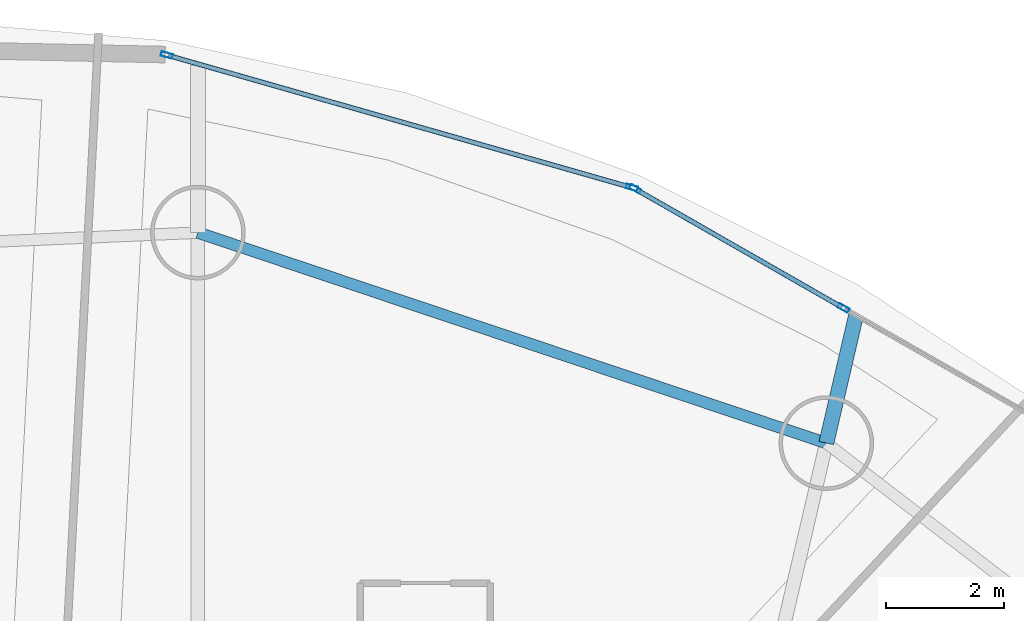
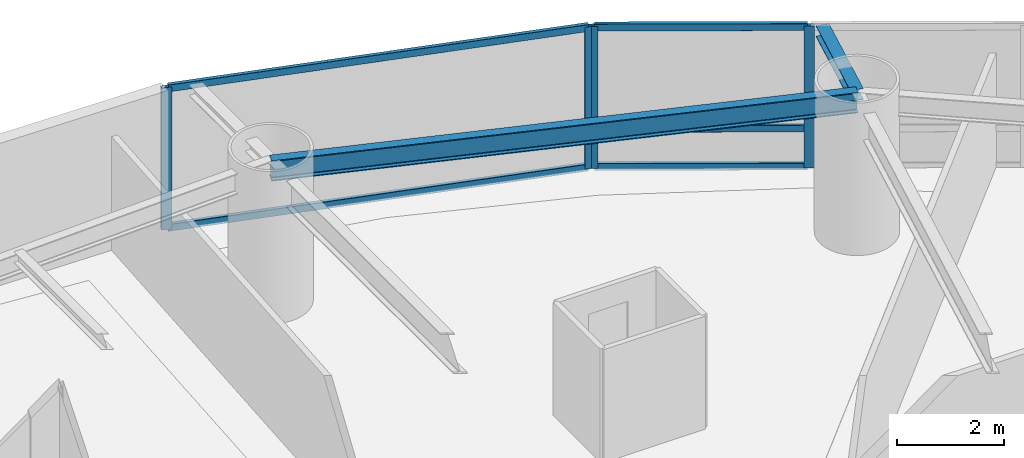
# One storey, part 13 of 23: 9 members, 2 beams, 2 elements without a shape of their own.
"""IFC4 building model written with IfcOpenShell, lengths in metres."""

from ifc_helpers import new_model, si_unit, direction, frame, origin, origin_2d, place, context, subcontext, project, spatial, hollow_rectangle, i_section, extrude, material, layer, layer_set, material_profile, profile_set, type_object, element, aggregate, save


model = new_model("IFC4")

# Units and contexts
model_context = context("Model", 3, precision=1e-05, world=origin(), true_north=direction((0.0, 1.0)))
body_context = subcontext(model_context, "Body", "Model", "MODEL_VIEW")
ifc_project = project(units=[si_unit("LENGTHUNIT", "METRE"), si_unit("AREAUNIT", "SQUARE_METRE"), si_unit("VOLUMEUNIT", "CUBIC_METRE"), si_unit("PLANEANGLEUNIT", "RADIAN"), si_unit("MASSUNIT", "GRAM", prefix="KILO")], contexts=[model_context])

# Site, building, storey
site_placement = place(None, origin())
site = spatial("IfcSite", under=ifc_project, at=site_placement, CompositionType="ELEMENT")
building_placement = place(site_placement, origin())
building = spatial("IfcBuilding", under=site, at=building_placement, Name="Bramvorn Convention Spire", CompositionType="ELEMENT")
storey_placement = place(building_placement, frame((0.0, 0.0, 69.39990234375)))
storey = spatial("IfcBuildingStorey", under=building, at=storey_placement, Name="L15", CompositionType="ELEMENT", Elevation=69.39990234375)

# Beams
ifc_material_1 = material(Name="Steel CSA G40.21 Grade 350 (350W)", Category="steel")
ifc_material_profile_1 = material_profile(ifc_material_1, i_section(OverallWidth=0.25390625, OverallDepth=0.2529296875, WebThickness=0.008544921875, FlangeThickness=0.01416015625, FilletRadius=0.011962890625, at=origin_2d()))
ifc_profile_set_1 = profile_set([ifc_material_profile_1], Name="Steel CSA G40.21 Grade 350 (350W) - W250X73")
beam_type_1 = type_object("IfcBeamType", Name="BM-W250X73", PredefinedType="BEAM", material=ifc_profile_set_1)
beam_1_placement = place(storey_placement, frame((51.59033203125, 43.509033203125, 3.12353515625), z_axis=(0.226559529956, 0.97399732001, 0.0), x_axis=(-0.97399732001, 0.226559529956, 0.0)))
element("IfcBeam", 1, at=beam_1_placement, inside=storey, type_object=beam_type_1, Name="L15 slab-edge cantilever tip beam MC04", PredefinedType="BEAM", context=body_context, shape_type="SweptSolid", body=[
    extrude(i_section(OverallWidth=0.25390625, OverallDepth=0.2529296875, WebThickness=0.008544921875, FlangeThickness=0.01416015625, FilletRadius=0.011962890625, at=origin_2d()), origin(), (0.0, 0.0, 1.0), 2.22314453125),
])
ifc_material_profile_2 = material_profile(ifc_material_1, i_section(OverallWidth=0.194091796875, OverallDepth=0.468994140625, WebThickness=0.0126953125, FlangeThickness=0.0205078125, FilletRadius=0.01806640625, at=origin_2d()))
ifc_profile_set_2 = profile_set([ifc_material_profile_2], Name="Steel CSA G40.21 Grade 350 (350W) - W460X106")
beam_type_2 = type_object("IfcBeamType", Name="BM-W460X106", PredefinedType="SPANDREL", material=ifc_profile_set_2)
beam_2_placement = place(storey_placement, frame((51.59033203125, 43.509033203125, 3.015625), z_axis=(-0.948235872727, 0.317566890078, 0.0), x_axis=(-0.317566890078, -0.948235872727, 0.0)))
element("IfcBeam", 2, at=beam_2_placement, inside=storey, type_object=beam_type_2, Name="L15 mega-column ring beam 04", PredefinedType="SPANDREL", context=body_context, shape_type="SweptSolid", body=[
    extrude(i_section(OverallWidth=0.194091796875, OverallDepth=0.468994140625, WebThickness=0.0126953125, FlangeThickness=0.0205078125, FilletRadius=0.01806640625, at=origin_2d()), origin(), (0.0, 0.0, 1.0), 11.209716796875),
])

# Curtain wall, members
ifc_material_2 = material(Name="Anodised Bronze Unitised Curtain Wall", Category="aluminium")
ifc_layer = layer(ifc_material_2, 0.179931640625)
ifc_layer_set = layer_set([ifc_layer], Name="Anodised Bronze Unitised Curtain Wall - CW-HTL-FRIT")
curtain_wall_type = type_object("IfcCurtainWallType", Name="CW-HTL-FRIT", PredefinedType="USERDEFINED", material=ifc_layer_set)
curtain_wall_1_placement = place(storey_placement, origin())
curtain_wall_1 = element("IfcCurtainWall", 3, at=curtain_wall_1_placement, inside=storey, type_object=curtain_wall_type, Name="L15 fritted glass curtain wall 05", ObjectType="UNITISED CURTAIN WALL", PredefinedType="USERDEFINED")
ifc_material_3 = material(Name="Anodised Bronze Aluminium 6063-T6", Category="aluminium")
ifc_material_profile_3 = material_profile(ifc_material_3, hollow_rectangle(XDim=0.080078125, YDim=0.199951171875, WallThickness=0.00390625, InnerFilletRadius=0.0009765625, OuterFilletRadius=0.00390625, at=origin_2d()))
ifc_profile_set_3 = profile_set([ifc_material_profile_3], Name="Anodised Bronze Aluminium 6063-T6 - CWM80X200")
member_type_1 = type_object("IfcMemberType", Name="CW-MUL-180", PredefinedType="MULLION", material=ifc_profile_set_3)
member_1_placement = place(storey_placement, frame((48.358642578125, 47.806640625, 0.0), z_axis=(0.0, 0.0, 1.0), x_axis=(0.496612033852, 0.867972630809, 0.0)))
member_1 = element("IfcMember", 4, at=member_1_placement, type_object=member_type_1, Name="CW2 mullion 1", PredefinedType="MULLION", context=body_context, shape_type="SweptSolid", body=[
    extrude(hollow_rectangle(XDim=0.080078125, YDim=0.199951171875, WallThickness=0.00390625, InnerFilletRadius=0.0009765625, OuterFilletRadius=0.00390625, at=origin_2d()), origin(), (0.0, 0.0, 1.0), 3.25),
])
member_2_placement = place(storey_placement, frame((51.878662109375, 45.792724609375, 0.0), z_axis=(0.0, 0.0, 1.0), x_axis=(0.496612033852, 0.867972630809, 0.0)))
member_2 = element("IfcMember", 5, at=member_2_placement, type_object=member_type_1, Name="CW2 mullion 2", PredefinedType="MULLION", context=body_context, shape_type="SweptSolid", body=[
    extrude(hollow_rectangle(XDim=0.080078125, YDim=0.199951171875, WallThickness=0.00390625, InnerFilletRadius=0.0009765625, OuterFilletRadius=0.00390625, at=origin_2d()), origin(), (0.0, 0.0, 1.0), 3.25),
])

curtain_wall_2_placement = place(storey_placement, origin())
curtain_wall_2 = element("IfcCurtainWall", 6, at=curtain_wall_2_placement, inside=storey, type_object=curtain_wall_type, Name="L15 fritted glass curtain wall 06", ObjectType="UNITISED CURTAIN WALL", PredefinedType="USERDEFINED")
member_3_placement = place(storey_placement, frame((40.435546875, 50.072021484375, 0.0), z_axis=(0.0, 0.0, 1.0), x_axis=(0.274068809349, 0.961710085079, 0.0)))
member_3 = element("IfcMember", 7, at=member_3_placement, type_object=member_type_1, Name="CW2 mullion 1", PredefinedType="MULLION", context=body_context, shape_type="SweptSolid", body=[
    extrude(hollow_rectangle(XDim=0.080078125, YDim=0.199951171875, WallThickness=0.00390625, InnerFilletRadius=0.0009765625, OuterFilletRadius=0.00390625, at=origin_2d()), origin(), (0.0, 0.0, 1.0), 3.25),
])
member_4_placement = place(storey_placement, frame((48.3037109375, 47.829833984375, 0.0), z_axis=(0.0, 0.0, 1.0), x_axis=(0.274068809349, 0.961710085079, 0.0)))
member_4 = element("IfcMember", 8, at=member_4_placement, type_object=member_type_1, Name="CW2 mullion 2", PredefinedType="MULLION", context=body_context, shape_type="SweptSolid", body=[
    extrude(hollow_rectangle(XDim=0.080078125, YDim=0.199951171875, WallThickness=0.00390625, InnerFilletRadius=0.0009765625, OuterFilletRadius=0.00390625, at=origin_2d()), origin(), (0.0, 0.0, 1.0), 3.25),
])

# Member
ifc_material_profile_4 = material_profile(ifc_material_3, hollow_rectangle(XDim=0.080078125, YDim=0.159912109375, WallThickness=0.00390625, InnerFilletRadius=0.0009765625, OuterFilletRadius=0.00390625, at=origin_2d()))
ifc_profile_set_4 = profile_set([ifc_material_profile_4], Name="Anodised Bronze Aluminium 6063-T6 - CWT80X160")
member_type_2 = type_object("IfcMemberType", Name="CW-TRN-150", PredefinedType="USERDEFINED", material=ifc_profile_set_4)
member_5_placement = place(storey_placement, frame((48.384765625, 47.791748046875, 0.030029296875), z_axis=(0.8679684963, -0.496619260028, 0.0), x_axis=(0.496619260028, 0.8679684963, 0.0)))
member_5 = element("IfcMember", 9, at=member_5_placement, type_object=member_type_2, Name="CW2 transom 1.1", ObjectType="TRANSOM", PredefinedType="USERDEFINED", context=body_context, shape_type="SweptSolid", body=[
    extrude(hollow_rectangle(XDim=0.080078125, YDim=0.159912109375, WallThickness=0.00390625, InnerFilletRadius=0.0009765625, OuterFilletRadius=0.00390625, at=origin_2d()), origin(), (0.0, 0.0, 1.0), 3.995361328125),
])

member_6_placement = place(storey_placement, frame((48.384765625, 47.791748046875, 0.900146484375), z_axis=(0.8679684963, -0.496619260028, 0.0), x_axis=(0.496619260028, 0.8679684963, 0.0)))
member_6 = element("IfcMember", 10, at=member_6_placement, type_object=member_type_2, Name="CW2 transom 1.2", ObjectType="TRANSOM", PredefinedType="USERDEFINED", context=body_context, shape_type="SweptSolid", body=[
    extrude(hollow_rectangle(XDim=0.080078125, YDim=0.159912109375, WallThickness=0.00390625, InnerFilletRadius=0.0009765625, OuterFilletRadius=0.00390625, at=origin_2d()), origin(), (0.0, 0.0, 1.0), 3.995361328125),
])

member_7_placement = place(storey_placement, frame((48.384765625, 47.791748046875, 3.22021484375), z_axis=(0.8679684963, -0.496619260028, 0.0), x_axis=(0.496619260028, 0.8679684963, 0.0)))
member_7 = element("IfcMember", 11, at=member_7_placement, type_object=member_type_2, Name="CW2 transom 1.3", ObjectType="TRANSOM", PredefinedType="USERDEFINED", context=body_context, shape_type="SweptSolid", body=[
    extrude(hollow_rectangle(XDim=0.080078125, YDim=0.159912109375, WallThickness=0.00390625, InnerFilletRadius=0.0009765625, OuterFilletRadius=0.00390625, at=origin_2d()), origin(), (0.0, 0.0, 1.0), 3.995361328125),
])

aggregate(curtain_wall_1, [member_1, member_2, member_5, member_6, member_7])

member_8_placement = place(storey_placement, frame((40.464599609375, 50.063720703125, 0.030029296875), z_axis=(0.961708638576, -0.27407388509, 0.0), x_axis=(0.27407388509, 0.961708638576, 0.0)))
member_8 = element("IfcMember", 12, at=member_8_placement, type_object=member_type_2, Name="CW2 transom 1.1", ObjectType="TRANSOM", PredefinedType="USERDEFINED", context=body_context, shape_type="SweptSolid", body=[
    extrude(hollow_rectangle(XDim=0.080078125, YDim=0.159912109375, WallThickness=0.00390625, InnerFilletRadius=0.0009765625, OuterFilletRadius=0.00390625, at=origin_2d()), origin(), (0.0, 0.0, 1.0), 8.121337890625),
])

member_9_placement = place(storey_placement, frame((40.464599609375, 50.063720703125, 3.22021484375), z_axis=(0.961708638576, -0.27407388509, 0.0), x_axis=(0.27407388509, 0.961708638576, 0.0)))
member_9 = element("IfcMember", 13, at=member_9_placement, type_object=member_type_2, Name="CW2 transom 1.2", ObjectType="TRANSOM", PredefinedType="USERDEFINED", context=body_context, shape_type="SweptSolid", body=[
    extrude(hollow_rectangle(XDim=0.080078125, YDim=0.159912109375, WallThickness=0.00390625, InnerFilletRadius=0.0009765625, OuterFilletRadius=0.00390625, at=origin_2d()), origin(), (0.0, 0.0, 1.0), 8.121337890625),
])

aggregate(curtain_wall_2, [member_3, member_4, member_8, member_9])

save(model, "model.ifc")
